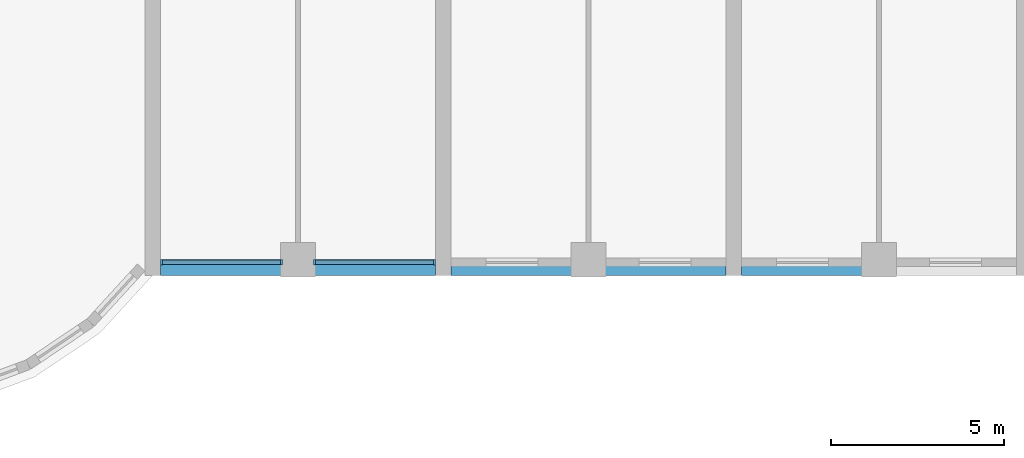
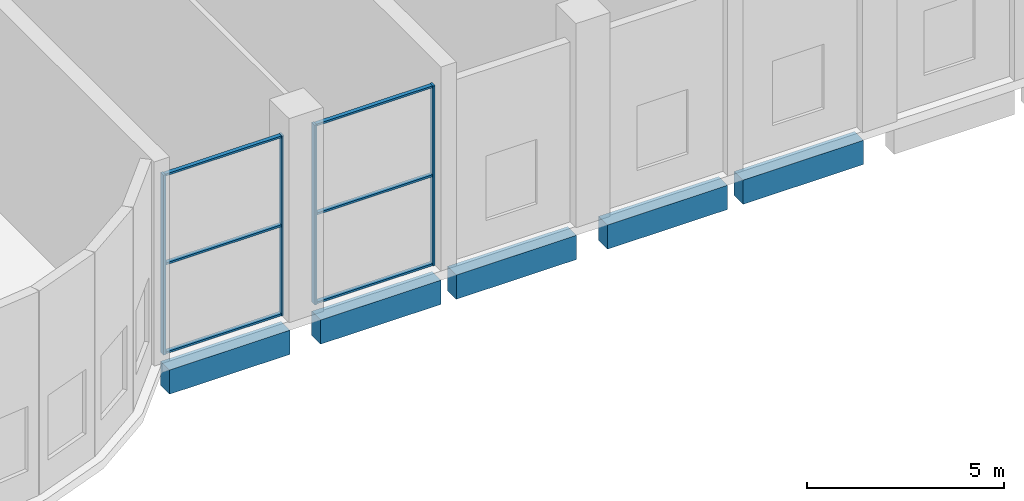
# One storey, part 4 of 15: 10 members, 5 beams, 2 elements without a shape of their own.
"""IFC4 building model written with IfcOpenShell, lengths in metres."""

from ifc_helpers import new_model, si_unit, direction, frame, origin, origin_2d, place, context, subcontext, project, spatial, rectangle, extrude, source, transform, mapped, material, layer, layer_set, material_profile, profile_set, type_object, element, aggregate, save


model = new_model("IFC4")

# Units and contexts
model_context = context("Model", 3, precision=1e-05, world=origin(), true_north=direction((0.0, 1.0)))
body_context = subcontext(model_context, "Body", "Model", "MODEL_VIEW")
ifc_project = project(units=[si_unit("LENGTHUNIT", "METRE"), si_unit("AREAUNIT", "SQUARE_METRE"), si_unit("VOLUMEUNIT", "CUBIC_METRE"), si_unit("PLANEANGLEUNIT", "RADIAN"), si_unit("MASSUNIT", "GRAM", prefix="KILO")], contexts=[model_context])

# Site, building, storey
site_placement = place(None, origin())
site = spatial("IfcSite", under=ifc_project, at=site_placement, CompositionType="ELEMENT")
building_placement = place(site_placement, origin())
building = spatial("IfcBuilding", under=site, at=building_placement, Name="Vanashikhar Sky Hotel", CompositionType="ELEMENT")
storey_placement = place(building_placement, frame((0.0, 0.0, 11.39990234375)))
storey = spatial("IfcBuildingStorey", under=building, at=storey_placement, Name="L02", CompositionType="ELEMENT", Elevation=11.39990234375)

# Beams
ifc_material_1 = material(Name="Concrete M50", Category="concrete")
ifc_material_profile_1 = material_profile(ifc_material_1, rectangle(XDim=0.449951171875, YDim=0.75, at=origin_2d()))
ifc_profile_set_1 = profile_set([ifc_material_profile_1], Name="RC 450x750 beam Concrete M50")
beam_type = type_object("IfcBeamType", Name="RC 450x750 beam Concrete M50", PredefinedType="SPANDREL", material=ifc_profile_set_1)
shared_shape_1 = source(origin(), body_context, "Body", "SweptSolid", [
    extrude(rectangle(XDim=0.449951171875, YDim=0.75, at=origin_2d()), origin(), (0.0, 0.0, 1.0), 3.52490234375),
])
for number, where, z_axis, x_axis, name in (
    (1, (67.425048828125, 0.22509765625, -0.65478515625), (1.0, 0.0, 0.0), (0.0, 1.0, 0.0), "EB-L02-F08"),
    (2, (71.85009765625, 0.22509765625, -0.65478515625), (1.0, 0.0, 0.0), (0.0, 1.0, 0.0), "EB-L02-F09"),
    (3, (80.25, 0.22509765625, -0.65478515625), (1.0, 0.0, 0.0), (0.0, 1.0, 0.0), "EB-L02-F11"),
    (4, (84.22509765625, 0.22509765625, -0.65478515625), (1.0, 0.0, 0.0), (0.0, 1.0, 0.0), "EB-L02-F12"),
):
    element("IfcBeam", number, at=place(storey_placement, frame(where, z_axis=z_axis, x_axis=x_axis)), inside=storey, type_object=beam_type, Name=name, PredefinedType="SPANDREL", context=body_context, shape_type="MappedRepresentation", body=[
        mapped(shared_shape_1, transform((0.0, 0.0, 0.0), scale=1.0)),
    ])
shared_shape_2 = source(origin(), body_context, "Body", "SweptSolid", [
    extrude(rectangle(XDim=0.449951171875, YDim=0.75, at=origin_2d()), origin(), (0.0, 0.0, 1.0), 3.525146484375),
])
beam_placement = place(storey_placement, frame((75.824951171875, 0.22509765625, -0.65478515625), z_axis=(1.0, 0.0, 0.0), x_axis=(0.0, 1.0, 0.0)))
element("IfcBeam", 5, at=beam_placement, inside=storey, type_object=beam_type, Name="EB-L02-F10", PredefinedType="SPANDREL", context=body_context, shape_type="MappedRepresentation", body=[
    mapped(shared_shape_2, transform((0.0, 0.0, 0.0), scale=1.0)),
])

# Curtain wall, members
ifc_material_2 = material(Name="Glass", Category="glass")
ifc_layer = layer(ifc_material_2, 0.159912109375)
ifc_layer_set = layer_set([ifc_layer], Name="Ballroom foyer curtain wall")
curtain_wall_type = type_object("IfcCurtainWallType", Name="Ballroom foyer curtain wall", PredefinedType="NOTDEFINED", material=ifc_layer_set)
curtain_wall_1_placement = place(storey_placement, origin())
curtain_wall_1 = element("IfcCurtainWall", 6, at=curtain_wall_1_placement, inside=storey, type_object=curtain_wall_type, Name="Ballroom foyer curtain wall", PredefinedType="NOTDEFINED")
ifc_material_3 = material(Name="Aluminium 6063-T6", Category="aluminium")
ifc_material_profile_2 = material_profile(ifc_material_3, rectangle(XDim=0.1201171875, YDim=0.06005859375, at=origin_2d()))
ifc_profile_set_2 = profile_set([ifc_material_profile_2], Name="Aluminium 6063-T6")
member_type_1 = type_object("IfcMemberType", Name="Podium curtain wall transom 60 x 120", PredefinedType="USERDEFINED", material=ifc_profile_set_2)
shared_shape_3 = source(origin(), body_context, "Body", "SweptSolid", [
    extrude(rectangle(XDim=0.1201171875, YDim=0.06005859375, at=origin_2d()), origin(), (0.0, 0.0, 1.0), 3.405029296875),
])
member_1_placement = place(storey_placement, frame((71.909912109375, 0.375, 0.030029296875), z_axis=(1.0, 0.0, 0.0), x_axis=(0.0, 1.0, 0.0)))
member_1 = element("IfcMember", 7, at=member_1_placement, type_object=member_type_1, Name="CW-3.202 transom 1.1", ObjectType="TRANSOM", PredefinedType="USERDEFINED", context=body_context, shape_type="MappedRepresentation", body=[
    mapped(shared_shape_3, transform((0.0, 0.0, 0.0), scale=1.0)),
])
member_2_placement = place(storey_placement, frame((71.909912109375, 0.375, 2.78515625), z_axis=(1.0, 0.0, 0.0), x_axis=(0.0, 1.0, 0.0)))
member_2 = element("IfcMember", 8, at=member_2_placement, type_object=member_type_1, Name="CW-3.202 transom 1.2", ObjectType="TRANSOM", PredefinedType="USERDEFINED", context=body_context, shape_type="MappedRepresentation", body=[
    mapped(shared_shape_3, transform((0.0, 0.0, 0.0), scale=1.0)),
])
member_3_placement = place(storey_placement, frame((71.909912109375, 0.375, 5.5400390625), z_axis=(1.0, 0.0, 0.0), x_axis=(0.0, 1.0, 0.0)))
member_3 = element("IfcMember", 9, at=member_3_placement, type_object=member_type_1, Name="CW-3.202 transom 1.3", ObjectType="TRANSOM", PredefinedType="USERDEFINED", context=body_context, shape_type="MappedRepresentation", body=[
    mapped(shared_shape_3, transform((0.0, 0.0, 0.0), scale=1.0)),
])

curtain_wall_2_placement = place(storey_placement, origin())
curtain_wall_2 = element("IfcCurtainWall", 10, at=curtain_wall_2_placement, inside=storey, type_object=curtain_wall_type, Name="Ballroom foyer curtain wall", PredefinedType="NOTDEFINED")
shared_shape_4 = source(origin(), body_context, "Body", "SweptSolid", [
    extrude(rectangle(XDim=0.1201171875, YDim=0.06005859375, at=origin_2d()), origin(), (0.0, 0.0, 1.0), 3.40478515625),
])
member_4_placement = place(storey_placement, frame((67.485107421875, 0.375, 0.030029296875), z_axis=(1.0, 0.0, 0.0), x_axis=(0.0, 1.0, 0.0)))
member_4 = element("IfcMember", 11, at=member_4_placement, type_object=member_type_1, Name="CW-3.201 transom 1.1", ObjectType="TRANSOM", PredefinedType="USERDEFINED", context=body_context, shape_type="MappedRepresentation", body=[
    mapped(shared_shape_4, transform((0.0, 0.0, 0.0), scale=1.0)),
])
member_5_placement = place(storey_placement, frame((67.485107421875, 0.375, 2.78515625), z_axis=(1.0, 0.0, 0.0), x_axis=(0.0, 1.0, 0.0)))
member_5 = element("IfcMember", 12, at=member_5_placement, type_object=member_type_1, Name="CW-3.201 transom 1.2", ObjectType="TRANSOM", PredefinedType="USERDEFINED", context=body_context, shape_type="MappedRepresentation", body=[
    mapped(shared_shape_4, transform((0.0, 0.0, 0.0), scale=1.0)),
])
member_6_placement = place(storey_placement, frame((67.485107421875, 0.375, 5.5400390625), z_axis=(1.0, 0.0, 0.0), x_axis=(0.0, 1.0, 0.0)))
member_6 = element("IfcMember", 13, at=member_6_placement, type_object=member_type_1, Name="CW-3.201 transom 1.3", ObjectType="TRANSOM", PredefinedType="USERDEFINED", context=body_context, shape_type="MappedRepresentation", body=[
    mapped(shared_shape_4, transform((0.0, 0.0, 0.0), scale=1.0)),
])
ifc_material_profile_3 = material_profile(ifc_material_3, rectangle(XDim=0.159912109375, YDim=0.06005859375, at=origin_2d()))
ifc_profile_set_3 = profile_set([ifc_material_profile_3], Name="Aluminium 6063-T6")
member_type_2 = type_object("IfcMemberType", Name="Podium curtain wall mullion 60 x 160", PredefinedType="MULLION", material=ifc_profile_set_3)
shared_shape_5 = source(origin(), body_context, "Body", "SweptSolid", [
    extrude(rectangle(XDim=0.159912109375, YDim=0.06005859375, at=origin_2d()), origin(), (0.0, 0.0, 1.0), 5.570068359375),
])
member_7_placement = place(storey_placement, frame((67.455078125, 0.375, 0.0), z_axis=(0.0, 0.0, 1.0), x_axis=(0.0, 1.0, 0.0)))
member_7 = element("IfcMember", 14, at=member_7_placement, type_object=member_type_2, Name="CW-3.201 mullion 1", PredefinedType="MULLION", context=body_context, shape_type="MappedRepresentation", body=[
    mapped(shared_shape_5, transform((0.0, 0.0, 0.0), scale=1.0)),
])
member_8_placement = place(storey_placement, frame((70.919921875, 0.375, 0.0), z_axis=(0.0, 0.0, 1.0), x_axis=(0.0, 1.0, 0.0)))
member_8 = element("IfcMember", 15, at=member_8_placement, type_object=member_type_2, Name="CW-3.201 mullion 2", PredefinedType="MULLION", context=body_context, shape_type="MappedRepresentation", body=[
    mapped(shared_shape_5, transform((0.0, 0.0, 0.0), scale=1.0)),
])
aggregate(curtain_wall_2, [member_7, member_8, member_4, member_5, member_6])

# Member
member_9_placement = place(storey_placement, frame((71.8798828125, 0.375, 0.0), z_axis=(0.0, 0.0, 1.0), x_axis=(0.0, 1.0, 0.0)))
member_9 = element("IfcMember", 16, at=member_9_placement, type_object=member_type_2, Name="CW-3.202 mullion 1", PredefinedType="MULLION", context=body_context, shape_type="MappedRepresentation", body=[
    mapped(shared_shape_5, transform((0.0, 0.0, 0.0), scale=1.0)),
])

member_10_placement = place(storey_placement, frame((75.344970703125, 0.375, 0.0), z_axis=(0.0, 0.0, 1.0), x_axis=(0.0, 1.0, 0.0)))
member_10 = element("IfcMember", 17, at=member_10_placement, type_object=member_type_2, Name="CW-3.202 mullion 2", PredefinedType="MULLION", context=body_context, shape_type="MappedRepresentation", body=[
    mapped(shared_shape_5, transform((0.0, 0.0, 0.0), scale=1.0)),
])

aggregate(curtain_wall_1, [member_9, member_10, member_1, member_2, member_3])

save(model, "model.ifc")
